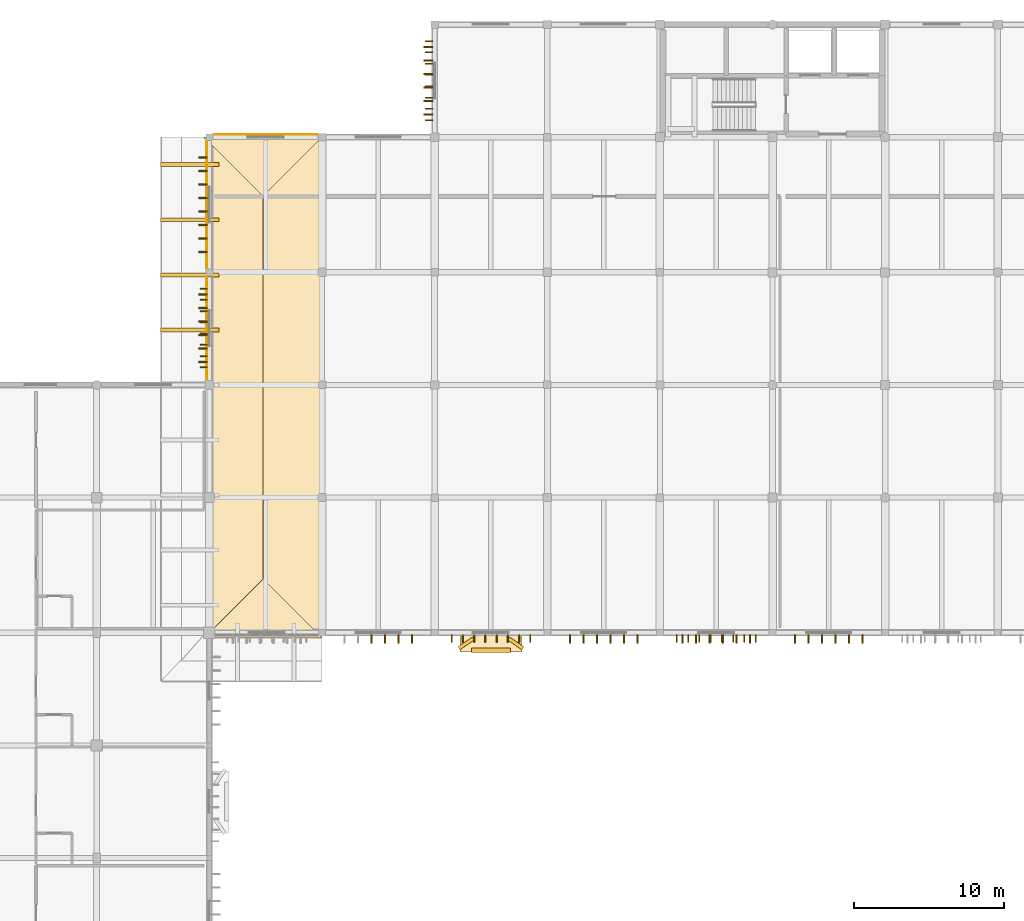
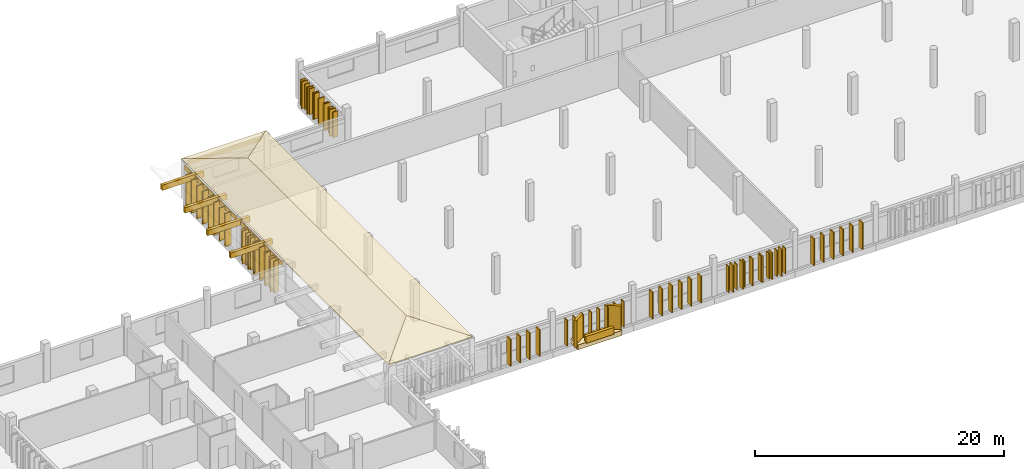
# One storey, part 36 of 43: 57 coverings, 32 shading devices.
"""IFC4 building model written with IfcOpenShell, lengths in metres."""

from ifc_helpers import new_model, si_unit, direction, frame, origin, origin_2d, place, context, subcontext, project, spatial, polyline, rectangle, outline, extrude, material, layer, layer_set, type_object, element, save


model = new_model("IFC4")

# Units and contexts
model_context = context("Model", 3, precision=1e-05, world=origin(), true_north=direction((0.0, 1.0)))
body_context = subcontext(model_context, "Body", "Model", "MODEL_VIEW")
ifc_project = project(units=[si_unit("LENGTHUNIT", "METRE"), si_unit("AREAUNIT", "SQUARE_METRE"), si_unit("VOLUMEUNIT", "CUBIC_METRE"), si_unit("PLANEANGLEUNIT", "RADIAN"), si_unit("MASSUNIT", "GRAM", prefix="KILO")], contexts=[model_context])

# Site, building, storey
site_placement = place(None, origin())
site = spatial("IfcSite", under=ifc_project, at=site_placement, CompositionType="ELEMENT")
building_placement = place(site_placement, origin())
building = spatial("IfcBuilding", under=site, at=building_placement, Name="Dalvernix Boulevard General Hospital", CompositionType="ELEMENT")
storey_placement = place(building_placement, frame((0.0, 0.0, 14.10009765625)))
storey = spatial("IfcBuildingStorey", under=building, at=storey_placement, Name="L03", CompositionType="ELEMENT", Elevation=14.10009765625)

# Coverings
ifc_material_1 = material(Name="Polychrome glazed Catalan trencadis ceramic faceted bay spandrel")
ifc_layer_1 = layer(ifc_material_1, 0.280029296875)
ifc_layer_set_1 = layer_set([ifc_layer_1], Name="Polychrome glazed Catalan trencadis ceramic faceted bay spandrel (COV-BAY-01)")
covering_type_1 = type_object("IfcCoveringType", Name="COV-BAY-01", PredefinedType="CLADDING", material=ifc_layer_set_1)
covering_1_placement = place(storey_placement, frame((48.75, 75.340087890625, 0.3798828125), z_axis=(0.0, 0.0, 1.0), x_axis=(-1.0, 0.0, 0.0)))
element("IfcCovering", 1, at=covering_1_placement, inside=storey, type_object=covering_type_1, Name="L03 projecting faceted trencadis bay spandrel S 6-10", PredefinedType="CLADDING", context=body_context, shape_type="SweptSolid", body=[
    extrude(rectangle(XDim=2.60009765625, YDim=0.280029296875, at=origin_2d()), origin(), (0.0, 0.0, 1.0), 0.679931640625),
])
for number, where, z_axis, x_axis, name in (
    (2, (50.39990234375, 75.7900390625, 0.079833984375), (0.0, 0.0, 1.0), (-0.829037572555, 0.559192903471, 0.0), "L03 projecting faceted Catalan bay cheek S 6-10-L"),
    (3, (47.10009765625, 75.7900390625, 0.079833984375), (0.0, 0.0, 1.0), (-0.829037572555, -0.559192903471, 0.0), "L03 projecting faceted Catalan bay cheek S 6-10-R"),
):
    element("IfcCovering", number, at=place(storey_placement, frame(where, z_axis=z_axis, x_axis=x_axis)), inside=storey, type_object=covering_type_1, Name=name, PredefinedType="CLADDING", context=body_context, shape_type="SweptSolid", body=[
        extrude(rectangle(XDim=1.14990234375, YDim=0.239990234375, at=origin_2d()), origin(), (0.0, 0.0, 1.0), 2.7099609375),
    ])
ifc_material_2 = material(Name="Polychrome Catalan glazed ceramic spandrel tile panel")
ifc_layer_2 = layer(ifc_material_2, 0.044921875)
ifc_layer_set_2 = layer_set([ifc_layer_2], Name="Polychrome Catalan glazed ceramic spandrel tile panel (COV-CLD-01)")
covering_type_2 = type_object("IfcCoveringType", Name="COV-CLD-01", PredefinedType="CLADDING", material=ifc_layer_set_2)
covering_2_placement = place(storey_placement, frame((29.830078125, 96.78759765625, 2.9951171875), z_axis=(0.0, 0.0, 1.0), x_axis=(0.0, 1.0, 0.0)))
element("IfcCovering", 4, at=covering_2_placement, inside=storey, type_object=covering_type_2, Name="L03 polychrome ceramic spandrel W 4-12", PredefinedType="CLADDING", context=body_context, shape_type="SweptSolid", body=[
    extrude(rectangle(XDim=6.85498046875, YDim=0.044921875, at=origin_2d()), origin(), (0.0, 0.0, 1.0), 0.449951171875),
])
covering_3_placement = place(storey_placement, frame((33.737548828125, 109.669921875, 2.9951171875), z_axis=(0.0, 0.0, 1.0), x_axis=(1.0, 0.0, 0.0)))
element("IfcCovering", 5, at=covering_3_placement, inside=storey, type_object=covering_type_2, Name="L03 polychrome ceramic spandrel N 4-14", PredefinedType="CLADDING", context=body_context, shape_type="SweptSolid", body=[
    extrude(rectangle(XDim=6.905029296875, YDim=0.044921875, at=origin_2d()), origin(), (0.0, 0.0, 1.0), 0.449951171875),
])
covering_4_placement = place(storey_placement, frame((29.830078125, 105.0, 2.9951171875), z_axis=(0.0, 0.0, 1.0), x_axis=(0.0, 1.0, 0.0)))
element("IfcCovering", 6, at=covering_4_placement, inside=storey, type_object=covering_type_2, Name="L03 polychrome ceramic spandrel W 4-13", PredefinedType="CLADDING", context=body_context, shape_type="SweptSolid", body=[
    extrude(rectangle(XDim=8.429931640625, YDim=0.044921875, at=origin_2d()), origin(), (0.0, 0.0, 1.0), 0.449951171875),
])
ifc_material_3 = material(Name="Dressed ochre limestone classical plinth, stringcourse and corbelled cornice", Category="masonry")
ifc_layer_3 = layer(ifc_material_3, 0.449951171875)
ifc_layer_set_3 = layer_set([ifc_layer_3], Name="Dressed ochre limestone classical plinth, stringcourse and corbelled cornice (COV-CRN-01)")
covering_type_3 = type_object("IfcCoveringType", Name="COV-CRN-01", PredefinedType="CLADDING", material=ifc_layer_set_3)
covering_5_placement = place(storey_placement, frame((48.75, 75.794921875, 0.0), z_axis=(0.0, 0.0, 1.0), x_axis=(-1.0, 0.0, 0.0)))
element("IfcCovering", 7, at=covering_5_placement, inside=storey, type_object=covering_type_3, Name="L03 projecting Catalan bay corbel base S 6-10", PredefinedType="CLADDING", context=body_context, shape_type="SweptSolid", body=[
    extrude(rectangle(XDim=4.10009765625, YDim=1.14990234375, at=origin_2d()), origin(), (0.0, 0.0, 1.0), 0.47998046875),
])
ifc_material_4 = material(Name="Terracotta-clad iroko timber brise-soleil sun-breaker fin", Category="masonry")
ifc_layer_4 = layer(ifc_material_4, 0.10009765625)
ifc_layer_set_4 = layer_set([ifc_layer_4], Name="Terracotta-clad iroko timber brise-soleil sun-breaker fin (COV-FIN-02)")
covering_type_4 = type_object("IfcCoveringType", Name="COV-FIN-02", PredefinedType="CLADDING", material=ifc_layer_set_4)
for number, where, z_axis, x_axis, name in (
    (8, (29.580078125, 94.53759765625, 0.119873046875), (0.0, 0.0, 1.0), (0.0, 1.0, 0.0), "L03 terracotta brise-soleil fin W 4-12-1"),
    (9, (29.580078125, 95.4375, 0.119873046875), (0.0, 0.0, 1.0), (0.0, 1.0, 0.0), "L03 terracotta brise-soleil fin W 4-12-2"),
    (10, (29.580078125, 96.33740234375, 0.119873046875), (0.0, 0.0, 1.0), (0.0, 1.0, 0.0), "L03 terracotta brise-soleil fin W 4-12-3"),
    (11, (29.580078125, 97.237548828125, 0.119873046875), (0.0, 0.0, 1.0), (0.0, 1.0, 0.0), "L03 terracotta brise-soleil fin W 4-12-4"),
    (12, (29.580078125, 98.137451171875, 0.119873046875), (0.0, 0.0, 1.0), (0.0, 1.0, 0.0), "L03 terracotta brise-soleil fin W 4-12-5"),
    (13, (29.580078125, 99.03759765625, 0.119873046875), (0.0, 0.0, 1.0), (0.0, 1.0, 0.0), "L03 terracotta brise-soleil fin W 4-12-6"),
    (14, (29.580078125, 101.85009765625, 0.119873046875), (0.0, 0.0, 1.0), (0.0, 1.0, 0.0), "L03 terracotta brise-soleil fin W 4-13-1"),
    (15, (29.580078125, 102.75, 0.119873046875), (0.0, 0.0, 1.0), (0.0, 1.0, 0.0), "L03 terracotta brise-soleil fin W 4-13-2"),
    (16, (29.580078125, 103.64990234375, 0.119873046875), (0.0, 0.0, 1.0), (0.0, 1.0, 0.0), "L03 terracotta brise-soleil fin W 4-13-3"),
    (17, (29.580078125, 104.550048828125, 0.119873046875), (0.0, 0.0, 1.0), (0.0, 1.0, 0.0), "L03 terracotta brise-soleil fin W 4-13-4"),
    (18, (29.580078125, 105.449951171875, 0.119873046875), (0.0, 0.0, 1.0), (0.0, 1.0, 0.0), "L03 terracotta brise-soleil fin W 4-13-5"),
    (19, (29.580078125, 106.35009765625, 0.119873046875), (0.0, 0.0, 1.0), (0.0, 1.0, 0.0), "L03 terracotta brise-soleil fin W 4-13-6"),
    (20, (29.580078125, 107.25, 0.119873046875), (0.0, 0.0, 1.0), (0.0, 1.0, 0.0), "L03 terracotta brise-soleil fin W 4-13-7"),
    (21, (29.580078125, 108.14990234375, 0.119873046875), (0.0, 0.0, 1.0), (0.0, 1.0, 0.0), "L03 terracotta brise-soleil fin W 4-13-8"),
):
    element("IfcCovering", number, at=place(storey_placement, frame(where, z_axis=z_axis, x_axis=x_axis)), inside=storey, type_object=covering_type_4, Name=name, PredefinedType="CLADDING", context=body_context, shape_type="SweptSolid", body=[
        extrude(rectangle(XDim=0.10009765625, YDim=0.580078125, at=origin_2d()), origin(), (0.0, 0.0, 1.0), 3.22998046875),
    ])
for number, where, z_axis, x_axis, name in (
    (22, (43.5, 76.080078125, 0.119873046875), (0.0, 0.0, 1.0), (-1.0, 0.0, 0.0), "L03 terracotta brise-soleil fin S 5-10-1"),
    (23, (42.60009765625, 76.080078125, 0.119873046875), (0.0, 0.0, 1.0), (-1.0, 0.0, 0.0), "L03 terracotta brise-soleil fin S 5-10-2"),
    (24, (41.699951171875, 76.080078125, 0.119873046875), (0.0, 0.0, 1.0), (-1.0, 0.0, 0.0), "L03 terracotta brise-soleil fin S 5-10-3"),
    (25, (40.800048828125, 76.080078125, 0.119873046875), (0.0, 0.0, 1.0), (-1.0, 0.0, 0.0), "L03 terracotta brise-soleil fin S 5-10-4"),
    (26, (44.580078125, 111.012451171875, 0.119873046875), (0.0, 0.0, 1.0), (0.0, 1.0, 0.0), "L03 terracotta brise-soleil fin W 6-14-1"),
    (27, (44.580078125, 111.91259765625, 0.119873046875), (0.0, 0.0, 1.0), (0.0, 1.0, 0.0), "L03 terracotta brise-soleil fin W 6-14-2"),
    (28, (44.580078125, 112.8125, 0.119873046875), (0.0, 0.0, 1.0), (0.0, 1.0, 0.0), "L03 terracotta brise-soleil fin W 6-14-3"),
    (29, (44.580078125, 113.71240234375, 0.119873046875), (0.0, 0.0, 1.0), (0.0, 1.0, 0.0), "L03 terracotta brise-soleil fin W 6-14-4"),
    (30, (44.580078125, 114.612548828125, 0.119873046875), (0.0, 0.0, 1.0), (0.0, 1.0, 0.0), "L03 terracotta brise-soleil fin W 6-14-5"),
    (31, (44.580078125, 115.512451171875, 0.119873046875), (0.0, 0.0, 1.0), (0.0, 1.0, 0.0), "L03 terracotta brise-soleil fin W 6-14-6"),
    (32, (58.5, 76.080078125, 0.119873046875), (0.0, 0.0, 1.0), (-1.0, 0.0, 0.0), "L03 terracotta brise-soleil fin S 7-10-1"),
    (33, (57.60009765625, 76.080078125, 0.119873046875), (0.0, 0.0, 1.0), (-1.0, 0.0, 0.0), "L03 terracotta brise-soleil fin S 7-10-2"),
    (34, (56.699951171875, 76.080078125, 0.119873046875), (0.0, 0.0, 1.0), (-1.0, 0.0, 0.0), "L03 terracotta brise-soleil fin S 7-10-3"),
    (35, (55.800048828125, 76.080078125, 0.119873046875), (0.0, 0.0, 1.0), (-1.0, 0.0, 0.0), "L03 terracotta brise-soleil fin S 7-10-4"),
    (36, (54.89990234375, 76.080078125, 0.119873046875), (0.0, 0.0, 1.0), (-1.0, 0.0, 0.0), "L03 terracotta brise-soleil fin S 7-10-5"),
    (37, (54.0, 76.080078125, 0.119873046875), (0.0, 0.0, 1.0), (-1.0, 0.0, 0.0), "L03 terracotta brise-soleil fin S 7-10-6"),
    (38, (66.0, 76.080078125, 0.119873046875), (0.0, 0.0, 1.0), (-1.0, 0.0, 0.0), "L03 terracotta brise-soleil fin S 8-10-1"),
    (39, (65.10009765625, 76.080078125, 0.119873046875), (0.0, 0.0, 1.0), (-1.0, 0.0, 0.0), "L03 terracotta brise-soleil fin S 8-10-2"),
    (40, (64.199951171875, 76.080078125, 0.119873046875), (0.0, 0.0, 1.0), (-1.0, 0.0, 0.0), "L03 terracotta brise-soleil fin S 8-10-3"),
    (41, (63.300048828125, 76.080078125, 0.119873046875), (0.0, 0.0, 1.0), (-1.0, 0.0, 0.0), "L03 terracotta brise-soleil fin S 8-10-4"),
    (42, (62.39990234375, 76.080078125, 0.119873046875), (0.0, 0.0, 1.0), (-1.0, 0.0, 0.0), "L03 terracotta brise-soleil fin S 8-10-5"),
    (43, (61.5, 76.080078125, 0.119873046875), (0.0, 0.0, 1.0), (-1.0, 0.0, 0.0), "L03 terracotta brise-soleil fin S 8-10-6"),
    (44, (73.5, 76.080078125, 0.119873046875), (0.0, 0.0, 1.0), (-1.0, 0.0, 0.0), "L03 terracotta brise-soleil fin S 9-10-1"),
    (45, (72.60009765625, 76.080078125, 0.119873046875), (0.0, 0.0, 1.0), (-1.0, 0.0, 0.0), "L03 terracotta brise-soleil fin S 9-10-2"),
    (46, (71.699951171875, 76.080078125, 0.119873046875), (0.0, 0.0, 1.0), (-1.0, 0.0, 0.0), "L03 terracotta brise-soleil fin S 9-10-3"),
    (47, (70.800048828125, 76.080078125, 0.119873046875), (0.0, 0.0, 1.0), (-1.0, 0.0, 0.0), "L03 terracotta brise-soleil fin S 9-10-4"),
    (48, (69.89990234375, 76.080078125, 0.119873046875), (0.0, 0.0, 1.0), (-1.0, 0.0, 0.0), "L03 terracotta brise-soleil fin S 9-10-5"),
    (49, (69.0, 76.080078125, 0.119873046875), (0.0, 0.0, 1.0), (-1.0, 0.0, 0.0), "L03 terracotta brise-soleil fin S 9-10-6"),
):
    element("IfcCovering", number, at=place(storey_placement, frame(where, z_axis=z_axis, x_axis=x_axis)), inside=storey, type_object=covering_type_4, Name=name, PredefinedType="CLADDING", context=body_context, shape_type="SweptSolid", body=[
        extrude(rectangle(XDim=0.10009765625, YDim=0.580078125, at=origin_2d()), origin(), (0.0, 0.0, 1.0), 2.6298828125),
    ])
ifc_material_5 = material(Name="Preservative-treated glulam GL28h eave outlooker corbel bracket", Category="wood")
ifc_layer_5 = layer(ifc_material_5, 0.239990234375)
ifc_layer_set_5 = layer_set([ifc_layer_5], Name="Preservative-treated glulam GL28h eave outlooker corbel bracket (COV-OUTLOOK-01)")
covering_type_5 = type_object("IfcCoveringType", Name="COV-OUTLOOK-01", PredefinedType="CLADDING", material=ifc_layer_set_5)
for number, where, z_axis, x_axis, name in (
    (50, (28.699951171875, 96.666748046875, 3.035888671875), (0.0, 0.0, 1.0), (1.0, 0.0, 0.0), "V3-L03W glulam eave outlooker corbel W-6"),
    (51, (28.699951171875, 100.333251953125, 3.035888671875), (0.0, 0.0, 1.0), (1.0, 0.0, 0.0), "V3-L03W glulam eave outlooker corbel W-7"),
    (52, (28.699951171875, 104.0, 3.035888671875), (0.0, 0.0, 1.0), (1.0, 0.0, 0.0), "V3-L03W glulam eave outlooker corbel W-8"),
    (53, (28.699951171875, 107.666748046875, 3.035888671875), (0.0, 0.0, 1.0), (1.0, 0.0, 0.0), "V3-L03W glulam eave outlooker corbel W-9"),
):
    element("IfcCovering", number, at=place(storey_placement, frame(where, z_axis=z_axis, x_axis=x_axis)), inside=storey, type_object=covering_type_5, Name=name, PredefinedType="CLADDING", context=body_context, shape_type="SweptSolid", body=[
        extrude(rectangle(XDim=3.89990234375, YDim=0.260009765625, at=origin_2d()), origin(), (0.0, 0.0, 1.0), 0.52001953125),
    ])
ifc_material_6 = material(Name="Polychrome Catalan glazed terracotta roof tiles", Category="masonry")
ifc_layer_6 = layer(ifc_material_6, 0.050048828125)
ifc_layer_set_6 = layer_set([ifc_layer_6], Name="Polychrome Catalan glazed terracotta roof tiles (COV-ROOF-01)")
covering_type_6 = type_object("IfcCoveringType", Name="COV-ROOF-01", PredefinedType="ROOFING", material=ifc_layer_set_6)
for number, where, z_axis, x_axis, name in (
    (54, (29.64990234375, 109.5, 3.9658203125), (-0.265592704354, 0.0, 0.964085325785), (0.0, -1.0, 0.0), "V3-L03W glazed terracotta tile slope W"),
    (55, (37.5, 76.14990234375, 3.9658203125), (0.265592704354, 0.0, 0.964085325785), (0.0, 1.0, 0.0), "V3-L03W glazed terracotta tile slope E"),
):
    element("IfcCovering", number, at=place(storey_placement, frame(where, z_axis=z_axis, x_axis=x_axis)), inside=storey, type_object=covering_type_6, Name=name, PredefinedType="ROOFING", context=body_context, shape_type="SweptSolid", body=[
        extrude(outline(polyline([(0.0, 0.0), (33.35009765625, 0.0), (29.425048828125, 4.07126705816137), (3.925048828125, 4.07126705816137), (0.0, 0.0)])), origin(), (0.0, 0.0, -1.0), 0.050048828125),
    ])
for number, where, z_axis, x_axis, name in (
    (56, (29.64990234375, 76.14990234375, 3.9658203125), (0.0, -0.265592704354, 0.964085325785), (1.0, 0.0, 0.0), "V3-L03W glazed terracotta tile slope S"),
    (57, (37.5, 109.5, 3.9658203125), (0.0, 0.265592704354, 0.964085325785), (-1.0, 0.0, 0.0), "V3-L03W glazed terracotta tile slope N"),
):
    element("IfcCovering", number, at=place(storey_placement, frame(where, z_axis=z_axis, x_axis=x_axis)), inside=storey, type_object=covering_type_6, Name=name, PredefinedType="ROOFING", context=body_context, shape_type="SweptSolid", body=[
        extrude(outline(polyline([(0.0, 0.0), (7.85009765625, 0.0), (3.925048828125, 4.07126705816137), (0.0, 0.0)])), origin(), (0.0, 0.0, -1.0), 0.050048828125),
    ])

# Shading devices
ifc_material_7 = material(Name="Preservative-treated West African iroko timber", Category="wood")
shading_device_type = type_object("IfcShadingDeviceType", Name="SHD-FIN-01", PredefinedType="USERDEFINED", material=ifc_material_7)
for number, where, z_axis, x_axis, name in (
    (58, (29.6201171875, 94.16259765625, 0.1748046875), (0.0, 0.0, 1.0), (0.0, 1.0, 0.0), "L03 iroko brise-soleil fin 1"),
    (59, (29.6201171875, 94.91259765625, 0.1748046875), (0.0, 0.0, 1.0), (0.0, 1.0, 0.0), "L03 iroko brise-soleil fin 2"),
    (60, (29.6201171875, 95.66259765625, 0.1748046875), (0.0, 0.0, 1.0), (0.0, 1.0, 0.0), "L03 iroko brise-soleil fin 3"),
    (61, (29.6201171875, 96.41259765625, 0.1748046875), (0.0, 0.0, 1.0), (0.0, 1.0, 0.0), "L03 iroko brise-soleil fin 4"),
    (62, (29.6201171875, 97.16259765625, 0.1748046875), (0.0, 0.0, 1.0), (0.0, 1.0, 0.0), "L03 iroko brise-soleil fin 5"),
    (63, (29.6201171875, 97.91259765625, 0.1748046875), (0.0, 0.0, 1.0), (0.0, 1.0, 0.0), "L03 iroko brise-soleil fin 6"),
    (64, (29.6201171875, 98.66259765625, 0.1748046875), (0.0, 0.0, 1.0), (0.0, 1.0, 0.0), "L03 iroko brise-soleil fin 7"),
    (65, (29.6201171875, 99.41259765625, 0.1748046875), (0.0, 0.0, 1.0), (0.0, 1.0, 0.0), "L03 iroko brise-soleil fin 8"),
):
    element("IfcShadingDevice", number, at=place(storey_placement, frame(where, z_axis=z_axis, x_axis=x_axis)), inside=storey, type_object=shading_device_type, Name=name, ObjectType="FIN", PredefinedType="USERDEFINED", context=body_context, shape_type="SweptSolid", body=[
        extrude(rectangle(XDim=0.06494140625, YDim=0.47998046875, at=origin_2d()), origin(), (0.0, 0.0, 1.0), 3.1201171875),
    ])
for number, where, z_axis, x_axis, name in (
    (66, (51.375, 76.1201171875, 0.1748046875), (0.0, 0.0, 1.0), (-1.0, 0.0, 0.0), "L03 iroko brise-soleil fin 1"),
    (67, (50.625, 76.1201171875, 0.1748046875), (0.0, 0.0, 1.0), (-1.0, 0.0, 0.0), "L03 iroko brise-soleil fin 2"),
    (68, (49.875, 76.1201171875, 0.1748046875), (0.0, 0.0, 1.0), (-1.0, 0.0, 0.0), "L03 iroko brise-soleil fin 3"),
    (69, (49.125, 76.1201171875, 0.1748046875), (0.0, 0.0, 1.0), (-1.0, 0.0, 0.0), "L03 iroko brise-soleil fin 4"),
    (70, (48.375, 76.1201171875, 0.1748046875), (0.0, 0.0, 1.0), (-1.0, 0.0, 0.0), "L03 iroko brise-soleil fin 5"),
    (71, (47.625, 76.1201171875, 0.1748046875), (0.0, 0.0, 1.0), (-1.0, 0.0, 0.0), "L03 iroko brise-soleil fin 6"),
    (72, (46.875, 76.1201171875, 0.1748046875), (0.0, 0.0, 1.0), (-1.0, 0.0, 0.0), "L03 iroko brise-soleil fin 7"),
    (73, (46.125, 76.1201171875, 0.1748046875), (0.0, 0.0, 1.0), (-1.0, 0.0, 0.0), "L03 iroko brise-soleil fin 8"),
    (74, (44.6201171875, 110.637451171875, 0.1748046875), (0.0, 0.0, 1.0), (0.0, 1.0, 0.0), "L03 iroko brise-soleil fin 1"),
    (75, (44.6201171875, 111.387451171875, 0.1748046875), (0.0, 0.0, 1.0), (0.0, 1.0, 0.0), "L03 iroko brise-soleil fin 2"),
    (76, (44.6201171875, 112.137451171875, 0.1748046875), (0.0, 0.0, 1.0), (0.0, 1.0, 0.0), "L03 iroko brise-soleil fin 3"),
    (77, (44.6201171875, 112.887451171875, 0.1748046875), (0.0, 0.0, 1.0), (0.0, 1.0, 0.0), "L03 iroko brise-soleil fin 4"),
    (78, (44.6201171875, 113.637451171875, 0.1748046875), (0.0, 0.0, 1.0), (0.0, 1.0, 0.0), "L03 iroko brise-soleil fin 5"),
    (79, (44.6201171875, 114.387451171875, 0.1748046875), (0.0, 0.0, 1.0), (0.0, 1.0, 0.0), "L03 iroko brise-soleil fin 6"),
    (80, (44.6201171875, 115.137451171875, 0.1748046875), (0.0, 0.0, 1.0), (0.0, 1.0, 0.0), "L03 iroko brise-soleil fin 7"),
    (81, (44.6201171875, 115.887451171875, 0.1748046875), (0.0, 0.0, 1.0), (0.0, 1.0, 0.0), "L03 iroko brise-soleil fin 8"),
    (82, (66.375, 76.1201171875, 0.1748046875), (0.0, 0.0, 1.0), (-1.0, 0.0, 0.0), "L03 iroko brise-soleil fin 1"),
    (83, (65.625, 76.1201171875, 0.1748046875), (0.0, 0.0, 1.0), (-1.0, 0.0, 0.0), "L03 iroko brise-soleil fin 2"),
    (84, (64.875, 76.1201171875, 0.1748046875), (0.0, 0.0, 1.0), (-1.0, 0.0, 0.0), "L03 iroko brise-soleil fin 3"),
    (85, (64.125, 76.1201171875, 0.1748046875), (0.0, 0.0, 1.0), (-1.0, 0.0, 0.0), "L03 iroko brise-soleil fin 4"),
    (86, (63.375, 76.1201171875, 0.1748046875), (0.0, 0.0, 1.0), (-1.0, 0.0, 0.0), "L03 iroko brise-soleil fin 5"),
    (87, (62.625, 76.1201171875, 0.1748046875), (0.0, 0.0, 1.0), (-1.0, 0.0, 0.0), "L03 iroko brise-soleil fin 6"),
    (88, (61.875, 76.1201171875, 0.1748046875), (0.0, 0.0, 1.0), (-1.0, 0.0, 0.0), "L03 iroko brise-soleil fin 7"),
    (89, (61.125, 76.1201171875, 0.1748046875), (0.0, 0.0, 1.0), (-1.0, 0.0, 0.0), "L03 iroko brise-soleil fin 8"),
):
    element("IfcShadingDevice", number, at=place(storey_placement, frame(where, z_axis=z_axis, x_axis=x_axis)), inside=storey, type_object=shading_device_type, Name=name, ObjectType="FIN", PredefinedType="USERDEFINED", context=body_context, shape_type="SweptSolid", body=[
        extrude(rectangle(XDim=0.06494140625, YDim=0.47998046875, at=origin_2d()), origin(), (0.0, 0.0, 1.0), 2.52001953125),
    ])

save(model, "model.ifc")
